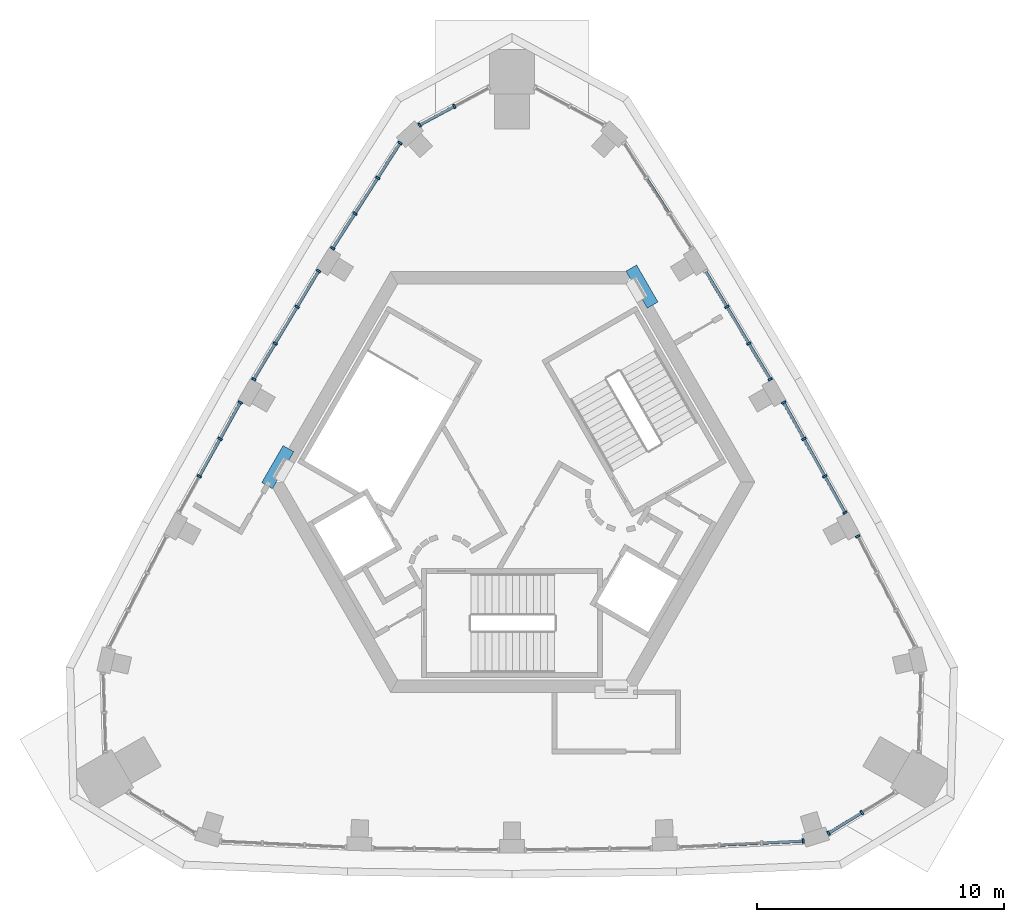
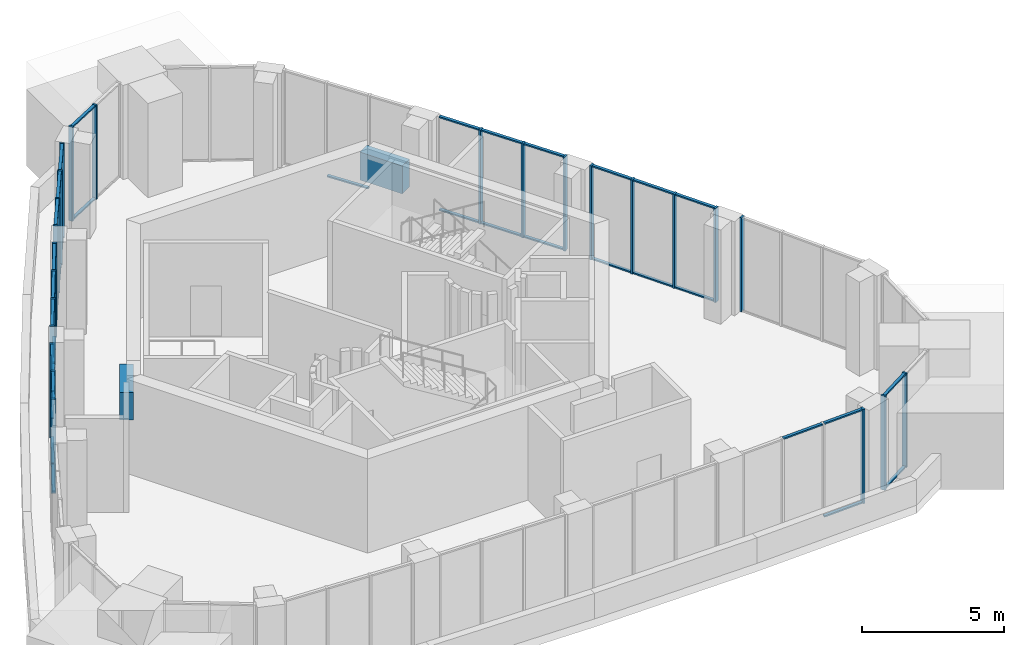
# One storey, part 3 of 9: 60 members, 2 beams, 10 elements without a shape of their own.
"""IFC4 building model written with IfcOpenShell, lengths in metres."""

import ifcopenshell
import ifcopenshell.guid

model = None  # the IFC model being written
_history = None  # IfcOwnerHistory: only IFC2X3 demands one
_inside = {}  # id of a spatial element -> (the spatial element, [elements in it])
_under = {}  # id of a project, library or spatial element -> (it, [spatial elements below it])
_declared = {}  # id of a project -> (the project, [libraries it declares])
_typed = {}  # id of a type object -> (the type object, [elements of that type])
_made_of = {}  # id of a material, layer set ... -> (it, [elements and type objects made of it])


def new_model(schema):
    """Start an empty IFC model of exactly this schema.

    Asked for "IFC4X3", IfcOpenShell would pick the latest addendum, in which some entities
    have other attributes; the version numbers below select the first issue.
    IFC2X3 requires an IfcOwnerHistory on every rooted entity: one is made here for all.
    """
    global model, _history
    if schema == "IFC4X3":
        model = ifcopenshell.file(schema_version=(4, 3, 0, 0))
    else:
        model = ifcopenshell.file(schema=schema)
    _inside.clear()
    _under.clear()
    _declared.clear()
    _typed.clear()
    _made_of.clear()
    _history = None
    if model.schema == "IFC2X3":
        org = make("IfcOrganization", Name="unknown")
        user = make(
            "IfcPersonAndOrganization",
            ThePerson=make("IfcPerson", FamilyName="unknown"),
            TheOrganization=org,
        )
        app = make(
            "IfcApplication",
            ApplicationDeveloper=org,
            Version="unknown",
            ApplicationFullName="unknown",
            ApplicationIdentifier="unknown",
        )
        _history = make(
            "IfcOwnerHistory",
            OwningUser=user,
            OwningApplication=app,
            ChangeAction="ADDED",
            CreationDate=0,
        )
    return model


def make(cls, **values):
    """One entity of the class cls with the attributes given. An attribute that is None is left unset."""
    return model.create_entity(
        cls, **{name: value for name, value in values.items() if value is not None}
    )


def rooted(cls, **values):
    """An entity with a GlobalId (a new one), such as an element, a storey or a relation."""
    return make(cls, GlobalId=ifcopenshell.guid.new(), OwnerHistory=_history, **values)


def si_unit(unit_type, name, prefix=None):
    """IfcSIUnit, for example si_unit("LENGTHUNIT", "METRE", prefix="MILLI")."""
    return make("IfcSIUnit", UnitType=unit_type, Prefix=prefix, Name=name)


def assignment(units):
    """IfcUnitAssignment: the units of a project."""
    return None if units is None else make("IfcUnitAssignment", Units=units)


def point(xyz):
    """IfcCartesianPoint."""
    return None if xyz is None else make("IfcCartesianPoint", Coordinates=xyz)


def direction(xyz):
    """IfcDirection."""
    return None if xyz is None else make("IfcDirection", DirectionRatios=xyz)


def frame(location, z_axis=None, x_axis=None):
    """IfcAxis2Placement3D, a coordinate frame: its origin and axes. An axis left out is left unset."""
    return make(
        "IfcAxis2Placement3D",
        Location=point(location),
        Axis=direction(z_axis),
        RefDirection=direction(x_axis),
    )


def frame_2d(location, x_axis=None):
    """IfcAxis2Placement2D, a coordinate frame in the plane: its origin and x axis."""
    return make(
        "IfcAxis2Placement2D", Location=point(location), RefDirection=direction(x_axis)
    )


def origin():
    """The frame at (0, 0, 0) with its axes left unset."""
    return frame((0.0, 0.0, 0.0))


def origin_2d():
    """The frame at (0, 0) in the plane with its x axis left unset."""
    return frame_2d((0.0, 0.0))


def place(relative_to, where):
    """IfcLocalPlacement: puts the frame where relative to a parent placement (None: the world)."""
    return make(
        "IfcLocalPlacement", PlacementRelTo=relative_to, RelativePlacement=where
    )


def context(
    kind, dimensions, precision=None, world=None, true_north=None, identifier=None
):
    """IfcGeometricRepresentationContext, for example the 3D "Model" context."""
    return make(
        "IfcGeometricRepresentationContext",
        ContextIdentifier=identifier,
        ContextType=kind,
        CoordinateSpaceDimension=dimensions,
        Precision=precision,
        WorldCoordinateSystem=world,
        TrueNorth=true_north,
    )


def subcontext(parent, identifier, kind, view, scale=None):
    """IfcGeometricRepresentationSubContext, for example "Body" below "Model"."""
    return make(
        "IfcGeometricRepresentationSubContext",
        ContextIdentifier=identifier,
        ContextType=kind,
        ParentContext=parent,
        TargetScale=scale,
        TargetView=view,
    )


def project(units=None, contexts=None):
    """IfcProject with its units and contexts."""
    return rooted(
        "IfcProject",
        Name="project",
        RepresentationContexts=contexts,
        UnitsInContext=assignment(units),
    )


def spatial(cls, under=None, at=None, **own):
    """A site, building, storey or space (cls), placed at a placement, below another one or the project."""
    s = rooted(cls, ObjectPlacement=at, **own)
    if under is not None:
        _under.setdefault(under.id(), (under, []))[1].append(s)
    return s


def profile(cls, at=None, kind="AREA", **sizes):
    """A parametric profile (cls). Its sizes go by their IFC names, for example OverallWidth=200.0."""
    return make(cls, ProfileType=kind, Position=at, **sizes)


def rectangle(**sizes):
    """IfcRectangleProfileDef."""
    return profile("IfcRectangleProfileDef", **sizes)


def extrude(swept, where, along, depth):
    """IfcExtrudedAreaSolid: the profile swept, set in the frame where, extruded along a direction by depth."""
    return make(
        "IfcExtrudedAreaSolid",
        SweptArea=swept,
        Position=where,
        ExtrudedDirection=direction(along),
        Depth=depth,
    )


def shape(context_of_items, identifier, shape_type, items):
    """IfcShapeRepresentation: the items that make up one representation, for example the "Body"."""
    return make(
        "IfcShapeRepresentation",
        ContextOfItems=context_of_items,
        RepresentationIdentifier=identifier,
        RepresentationType=shape_type,
        Items=items,
    )


def material(Name=None, Category=None):
    """IfcMaterial."""
    return make("IfcMaterial", Name=Name, Category=Category)


def material_profile(
    of_material, cross_section, Name=None, Category=None, Priority=None
):
    """IfcMaterialProfile: a cross section and its material."""
    return make(
        "IfcMaterialProfile",
        Name=Name,
        Material=of_material,
        Profile=cross_section,
        Priority=Priority,
        Category=Category,
    )


def profile_set(profiles, Name=None, composite=None):
    """IfcMaterialProfileSet."""
    return make(
        "IfcMaterialProfileSet",
        Name=Name,
        MaterialProfiles=profiles,
        CompositeProfile=composite,
    )


def made_of(thing, what):
    """Note that an element or type object is made of a material, layer set ...; save() writes the relation."""
    if what is not None:
        _made_of.setdefault(what.id(), (what, []))[1].append(thing)
    return thing


def type_object(cls, material=None, **own):
    """A type object (cls), such as IfcWallType, which elements share."""
    return made_of(rooted(cls, **own), material)


def element(
    cls,
    number,
    at=None,
    inside=None,
    cuts=None,
    type_object=None,
    material=None,
    context=None,
    identifier="Body",
    shape_type=None,
    held_by="IfcProductDefinitionShape",
    body=None,
    shapes=None,
    **own,
):
    """One element of the class cls, such as IfcWall. Its Tag is "e" and its number.

    at: its placement. inside: the storey or other place that contains it. cuts: it is an
    opening in that element (IfcRelVoidsElement). A single representation is given by context,
    identifier, shape_type and body (its items); several are given by shapes. held_by: the class
    of the entity that holds the representations. save() writes the other relations.
    """
    e = rooted(cls, Tag="e%d" % number, ObjectPlacement=at, **own)
    if body is not None:
        shapes = [shape(context, identifier, shape_type, body)]
    if shapes is not None:
        e.Representation = make(held_by, Representations=shapes)
    if inside is not None:
        _inside.setdefault(inside.id(), (inside, []))[1].append(e)
    if cuts is not None:
        rooted(
            "IfcRelVoidsElement", RelatingBuildingElement=cuts, RelatedOpeningElement=e
        )
    if type_object is not None:
        _typed.setdefault(type_object.id(), (type_object, []))[1].append(e)
    return made_of(e, material)


def aggregate(whole, parts):
    """IfcRelAggregates: a whole, such as a stair, and the parts it consists of."""
    return rooted("IfcRelAggregates", RelatingObject=whole, RelatedObjects=parts)


def save(model, path):
    """Write the relations noted so far, then the file.

    IfcRelAggregates (storeys below a building ...), IfcRelContainedInSpatialStructure (elements
    in a storey), IfcRelDefinesByType, IfcRelAssociatesMaterial and IfcRelDeclares: one each for
    every whole, place, type object, material and project.
    """
    for whole, parts in _under.values():
        aggregate(whole, parts)
    for where, things in _inside.values():
        rooted(
            "IfcRelContainedInSpatialStructure",
            RelatedElements=things,
            RelatingStructure=where,
        )
    for kind, things in _typed.values():
        rooted("IfcRelDefinesByType", RelatedObjects=things, RelatingType=kind)
    for what, things in _made_of.values():
        rooted("IfcRelAssociatesMaterial", RelatedObjects=things, RelatingMaterial=what)
    for by, libraries in _declared.values():
        rooted("IfcRelDeclares", RelatingContext=by, RelatedDefinitions=libraries)
    model.write(path)


model = new_model("IFC4")

# Units and contexts
model_context = context("Model", 3, precision=1e-05, world=origin(), true_north=direction((0.0, 1.0)))
body_context = subcontext(model_context, "Body", "Model", "MODEL_VIEW")
ifc_project = project(units=[si_unit("LENGTHUNIT", "METRE"), si_unit("AREAUNIT", "SQUARE_METRE"), si_unit("VOLUMEUNIT", "CUBIC_METRE"), si_unit("PLANEANGLEUNIT", "RADIAN"), si_unit("MASSUNIT", "GRAM", prefix="KILO")], contexts=[model_context])

# Site, building, storey
site_placement = place(None, origin())
site = spatial("IfcSite", under=ifc_project, at=site_placement, CompositionType="ELEMENT")
building_placement = place(site_placement, origin())
building = spatial("IfcBuilding", under=site, at=building_placement, Name="Entoto Arch Interchange Tower", CompositionType="ELEMENT")
storey_placement = place(building_placement, frame((0.0, 0.0, 358.39990234375)))
storey = spatial("IfcBuildingStorey", under=building, at=storey_placement, Name="L84", CompositionType="ELEMENT", Elevation=358.39990234375)

# Beams
ifc_material_1 = material(Name="Concrete C40/50", Category="concrete")
ifc_material_profile_1 = material_profile(ifc_material_1, rectangle(XDim=0.5, YDim=1.199951171875, at=origin_2d()))
ifc_profile_set_1 = profile_set([ifc_material_profile_1], Name="Concrete C40/50")
beam_type = type_object("IfcBeamType", Name="Coupling beam RC 500x1200 C40/50", PredefinedType="BEAM", material=ifc_profile_set_1)
for number, where, z_axis, x_axis, name in (
    (1, (5.68603515625, 9.65087890625, 3.0), (-0.500105721196, 0.865964357019, 0.0), (-0.865964357019, -0.500105721196, 0.0), "Coupling beam NE L84"),
    (2, (-9.035888671875, 3.84912109375, 3.0), (-0.500105721196, -0.865964357019, 0.0), (0.865964357019, -0.500105721196, 0.0), "Coupling beam NW L84"),
):
    element("IfcBeam", number, at=place(storey_placement, frame(where, z_axis=z_axis, x_axis=x_axis)), inside=storey, type_object=beam_type, Name=name, PredefinedType="BEAM", context=body_context, shape_type="SweptSolid", body=[
        extrude(rectangle(XDim=0.5, YDim=1.199951171875, at=origin_2d()), origin(), (0.0, 0.0, 1.0), 1.727783203125),
    ])

# Curtain wall, member
ifc_material_2 = material(Name="Aluminium, anodised", Category="aluminium")
curtain_wall_type = type_object("IfcCurtainWallType", Name="CURTAIN WALL CROWN LANTERN", PredefinedType="NOTDEFINED", material=ifc_material_2)
curtain_wall_1_placement = place(storey_placement, origin())
curtain_wall_1 = element("IfcCurtainWall", 3, at=curtain_wall_1_placement, inside=storey, type_object=curtain_wall_type, Name="Crown Lantern glazing S-04 L84", PredefinedType="NOTDEFINED")
ifc_material_profile_2 = material_profile(ifc_material_2, rectangle(XDim=0.179931640625, YDim=0.080078125, at=origin_2d()))
ifc_profile_set_2 = profile_set([ifc_material_profile_2], Name="Aluminium, anodised")
member_type_1 = type_object("IfcMemberType", Name="MULLION CROWN LANTERN 80x180", PredefinedType="MULLION", material=ifc_profile_set_2)
member_1_placement = place(storey_placement, frame((11.76708984375, -12.018798828125, 0.0), z_axis=(0.0, 0.0, 1.0), x_axis=(-0.046520118358, 0.998917353232, 0.0)))
member_1 = element("IfcMember", 4, at=member_1_placement, type_object=member_type_1, Name="CWL mullion 4", PredefinedType="MULLION", context=body_context, shape_type="SweptSolid", body=[
    extrude(rectangle(XDim=0.179931640625, YDim=0.080078125, at=origin_2d()), origin(), (0.0, 0.0, 1.0), 4.050048828125),
])

# Curtain wall, members
curtain_wall_2_placement = place(storey_placement, origin())
curtain_wall_2 = element("IfcCurtainWall", 5, at=curtain_wall_2_placement, inside=storey, type_object=curtain_wall_type, Name="Crown Lantern glazing SE-01 L84", PredefinedType="NOTDEFINED")
member_2_placement = place(storey_placement, frame((12.7939453125, -11.699951171875, 0.0), z_axis=(0.0, 0.0, 1.0), x_axis=(-0.526629282002, 0.850095053119, 0.0)))
member_2 = element("IfcMember", 6, at=member_2_placement, type_object=member_type_1, Name="CWL mullion 1", PredefinedType="MULLION", context=body_context, shape_type="SweptSolid", body=[
    extrude(rectangle(XDim=0.179931640625, YDim=0.080078125, at=origin_2d()), origin(), (0.0, 0.0, 1.0), 4.050048828125),
])
member_3_placement = place(storey_placement, frame((14.14501953125, -10.863037109375, 0.0), z_axis=(0.0, 0.0, 1.0), x_axis=(-0.526629282002, 0.850095053119, 0.0)))
member_3 = element("IfcMember", 7, at=member_3_placement, type_object=member_type_1, Name="CWL mullion 2", PredefinedType="MULLION", context=body_context, shape_type="SweptSolid", body=[
    extrude(rectangle(XDim=0.179931640625, YDim=0.080078125, at=origin_2d()), origin(), (0.0, 0.0, 1.0), 4.050048828125),
])

# Curtain wall, member
curtain_wall_3_placement = place(storey_placement, origin())
curtain_wall_3 = element("IfcCurtainWall", 8, at=curtain_wall_3_placement, inside=storey, type_object=curtain_wall_type, Name="Crown Lantern glazing NE-01 L84", PredefinedType="NOTDEFINED")
member_4_placement = place(storey_placement, frame((13.971435546875, 0.3095703125, 0.0), z_axis=(0.0, 0.0, 1.0), x_axis=(-0.888469575293, -0.458935522463, 0.0)))
member_4 = element("IfcMember", 9, at=member_4_placement, type_object=member_type_1, Name="CWL mullion 4", PredefinedType="MULLION", context=body_context, shape_type="SweptSolid", body=[
    extrude(rectangle(XDim=0.179931640625, YDim=0.080078125, at=origin_2d()), origin(), (0.0, 0.0, 1.0), 4.050048828125),
])
aggregate(curtain_wall_3, [member_4])

# Curtain wall, members
curtain_wall_4_placement = place(storey_placement, origin())
curtain_wall_4 = element("IfcCurtainWall", 10, at=curtain_wall_4_placement, inside=storey, type_object=curtain_wall_type, Name="Crown Lantern glazing NE-02 L84", PredefinedType="NOTDEFINED")
member_5_placement = place(storey_placement, frame((13.46142578125, 1.259033203125, 0.0), z_axis=(0.0, 0.0, 1.0), x_axis=(-0.873665250263, -0.486527522841, 0.0)))
member_5 = element("IfcMember", 11, at=member_5_placement, type_object=member_type_1, Name="CWL mullion 1", PredefinedType="MULLION", context=body_context, shape_type="SweptSolid", body=[
    extrude(rectangle(XDim=0.179931640625, YDim=0.080078125, at=origin_2d()), origin(), (0.0, 0.0, 1.0), 4.050048828125),
])
member_6_placement = place(storey_placement, frame((12.640625, 2.73291015625, 0.0), z_axis=(0.0, 0.0, 1.0), x_axis=(-0.873665250263, -0.486527522841, 0.0)))
member_6 = element("IfcMember", 12, at=member_6_placement, type_object=member_type_1, Name="CWL mullion 2", PredefinedType="MULLION", context=body_context, shape_type="SweptSolid", body=[
    extrude(rectangle(XDim=0.179931640625, YDim=0.080078125, at=origin_2d()), origin(), (0.0, 0.0, 1.0), 4.050048828125),
])
member_7_placement = place(storey_placement, frame((11.80029296875, 4.241943359375, 0.0), z_axis=(0.0, 0.0, 1.0), x_axis=(-0.873665250263, -0.486527522841, 0.0)))
member_7 = element("IfcMember", 13, at=member_7_placement, type_object=member_type_1, Name="CWL mullion 3", PredefinedType="MULLION", context=body_context, shape_type="SweptSolid", body=[
    extrude(rectangle(XDim=0.179931640625, YDim=0.080078125, at=origin_2d()), origin(), (0.0, 0.0, 1.0), 4.050048828125),
])
member_8_placement = place(storey_placement, frame((10.9794921875, 5.716064453125, 0.0), z_axis=(0.0, 0.0, 1.0), x_axis=(-0.873665250263, -0.486527522841, 0.0)))
member_8 = element("IfcMember", 14, at=member_8_placement, type_object=member_type_1, Name="CWL mullion 4", PredefinedType="MULLION", context=body_context, shape_type="SweptSolid", body=[
    extrude(rectangle(XDim=0.179931640625, YDim=0.080078125, at=origin_2d()), origin(), (0.0, 0.0, 1.0), 4.050048828125),
])

curtain_wall_5_placement = place(storey_placement, origin())
curtain_wall_5 = element("IfcCurtainWall", 15, at=curtain_wall_5_placement, inside=storey, type_object=curtain_wall_type, Name="Crown Lantern glazing NE-03 L84", PredefinedType="NOTDEFINED")
member_9_placement = place(storey_placement, frame((10.4404296875, 6.650390625, 0.0), z_axis=(0.0, 0.0, 1.0), x_axis=(-0.858105257627, -0.513473822929, 0.0)))
member_9 = element("IfcMember", 16, at=member_9_placement, type_object=member_type_1, Name="CWL mullion 1", PredefinedType="MULLION", context=body_context, shape_type="SweptSolid", body=[
    extrude(rectangle(XDim=0.179931640625, YDim=0.080078125, at=origin_2d()), origin(), (0.0, 0.0, 1.0), 4.050048828125),
])
member_10_placement = place(storey_placement, frame((9.573974609375, 8.098388671875, 0.0), z_axis=(0.0, 0.0, 1.0), x_axis=(-0.858105257627, -0.513473822929, 0.0)))
member_10 = element("IfcMember", 17, at=member_10_placement, type_object=member_type_1, Name="CWL mullion 2", PredefinedType="MULLION", context=body_context, shape_type="SweptSolid", body=[
    extrude(rectangle(XDim=0.179931640625, YDim=0.080078125, at=origin_2d()), origin(), (0.0, 0.0, 1.0), 4.050048828125),
])
member_11_placement = place(storey_placement, frame((8.68701171875, 9.58056640625, 0.0), z_axis=(0.0, 0.0, 1.0), x_axis=(-0.858105257627, -0.513473822929, 0.0)))
member_11 = element("IfcMember", 18, at=member_11_placement, type_object=member_type_1, Name="CWL mullion 3", PredefinedType="MULLION", context=body_context, shape_type="SweptSolid", body=[
    extrude(rectangle(XDim=0.179931640625, YDim=0.080078125, at=origin_2d()), origin(), (0.0, 0.0, 1.0), 4.050048828125),
])

curtain_wall_6_placement = place(storey_placement, origin())
curtain_wall_6 = element("IfcCurtainWall", 19, at=curtain_wall_6_placement, inside=storey, type_object=curtain_wall_type, Name="Crown Lantern glazing N-02 L84", PredefinedType="NOTDEFINED")
member_12_placement = place(storey_placement, frame((-2.33447265625, 17.681396484375, 0.0), z_axis=(0.0, 0.0, 1.0), x_axis=(0.472928127279, -0.881101008074, 0.0)))
member_12 = element("IfcMember", 20, at=member_12_placement, type_object=member_type_1, Name="CWL mullion 2", PredefinedType="MULLION", context=body_context, shape_type="SweptSolid", body=[
    extrude(rectangle(XDim=0.179931640625, YDim=0.080078125, at=origin_2d()), origin(), (0.0, 0.0, 1.0), 4.050048828125),
])
member_13_placement = place(storey_placement, frame((-3.73486328125, 16.929931640625, 0.0), z_axis=(0.0, 0.0, 1.0), x_axis=(0.472928127279, -0.881101008074, 0.0)))
member_13 = element("IfcMember", 21, at=member_13_placement, type_object=member_type_1, Name="CWL mullion 3", PredefinedType="MULLION", context=body_context, shape_type="SweptSolid", body=[
    extrude(rectangle(XDim=0.179931640625, YDim=0.080078125, at=origin_2d()), origin(), (0.0, 0.0, 1.0), 4.050048828125),
])

curtain_wall_7_placement = place(storey_placement, origin())
curtain_wall_7 = element("IfcCurtainWall", 22, at=curtain_wall_7_placement, inside=storey, type_object=curtain_wall_type, Name="Crown Lantern glazing NW-01 L84", PredefinedType="NOTDEFINED")
member_14_placement = place(storey_placement, frame((-4.524658203125, 16.19921875, 0.0), z_axis=(0.0, 0.0, 1.0), x_axis=(0.841836023439, -0.539733369026, 0.0)))
member_14 = element("IfcMember", 23, at=member_14_placement, type_object=member_type_1, Name="CWL mullion 1", PredefinedType="MULLION", context=body_context, shape_type="SweptSolid", body=[
    extrude(rectangle(XDim=0.179931640625, YDim=0.080078125, at=origin_2d()), origin(), (0.0, 0.0, 1.0), 4.050048828125),
])
member_15_placement = place(storey_placement, frame((-5.4267578125, 14.792236328125, 0.0), z_axis=(0.0, 0.0, 1.0), x_axis=(0.841836023439, -0.539733369026, 0.0)))
member_15 = element("IfcMember", 24, at=member_15_placement, type_object=member_type_1, Name="CWL mullion 2", PredefinedType="MULLION", context=body_context, shape_type="SweptSolid", body=[
    extrude(rectangle(XDim=0.179931640625, YDim=0.080078125, at=origin_2d()), origin(), (0.0, 0.0, 1.0), 4.050048828125),
])
member_16_placement = place(storey_placement, frame((-6.350341796875, 13.3515625, 0.0), z_axis=(0.0, 0.0, 1.0), x_axis=(0.841836023439, -0.539733369026, 0.0)))
member_16 = element("IfcMember", 25, at=member_16_placement, type_object=member_type_1, Name="CWL mullion 3", PredefinedType="MULLION", context=body_context, shape_type="SweptSolid", body=[
    extrude(rectangle(XDim=0.179931640625, YDim=0.080078125, at=origin_2d()), origin(), (0.0, 0.0, 1.0), 4.050048828125),
])
member_17_placement = place(storey_placement, frame((-7.25244140625, 11.944580078125, 0.0), z_axis=(0.0, 0.0, 1.0), x_axis=(0.841836023439, -0.539733369026, 0.0)))
member_17 = element("IfcMember", 26, at=member_17_placement, type_object=member_type_1, Name="CWL mullion 4", PredefinedType="MULLION", context=body_context, shape_type="SweptSolid", body=[
    extrude(rectangle(XDim=0.179931640625, YDim=0.080078125, at=origin_2d()), origin(), (0.0, 0.0, 1.0), 4.050048828125),
])

curtain_wall_8_placement = place(storey_placement, origin())
curtain_wall_8 = element("IfcCurtainWall", 27, at=curtain_wall_8_placement, inside=storey, type_object=curtain_wall_type, Name="Crown Lantern glazing NW-02 L84", PredefinedType="NOTDEFINED")
member_18_placement = place(storey_placement, frame((-7.820556640625, 11.028564453125, 0.0), z_axis=(0.0, 0.0, 1.0), x_axis=(0.858105257627, -0.513473822929, 0.0)))
member_18 = element("IfcMember", 28, at=member_18_placement, type_object=member_type_1, Name="CWL mullion 1", PredefinedType="MULLION", context=body_context, shape_type="SweptSolid", body=[
    extrude(rectangle(XDim=0.179931640625, YDim=0.080078125, at=origin_2d()), origin(), (0.0, 0.0, 1.0), 4.050048828125),
])
member_19_placement = place(storey_placement, frame((-8.68701171875, 9.58056640625, 0.0), z_axis=(0.0, 0.0, 1.0), x_axis=(0.858105257627, -0.513473822929, 0.0)))
member_19 = element("IfcMember", 29, at=member_19_placement, type_object=member_type_1, Name="CWL mullion 2", PredefinedType="MULLION", context=body_context, shape_type="SweptSolid", body=[
    extrude(rectangle(XDim=0.179931640625, YDim=0.080078125, at=origin_2d()), origin(), (0.0, 0.0, 1.0), 4.050048828125),
])
member_20_placement = place(storey_placement, frame((-9.573974609375, 8.098388671875, 0.0), z_axis=(0.0, 0.0, 1.0), x_axis=(0.858105257627, -0.513473822929, 0.0)))
member_20 = element("IfcMember", 30, at=member_20_placement, type_object=member_type_1, Name="CWL mullion 3", PredefinedType="MULLION", context=body_context, shape_type="SweptSolid", body=[
    extrude(rectangle(XDim=0.179931640625, YDim=0.080078125, at=origin_2d()), origin(), (0.0, 0.0, 1.0), 4.050048828125),
])
member_21_placement = place(storey_placement, frame((-10.4404296875, 6.650390625, 0.0), z_axis=(0.0, 0.0, 1.0), x_axis=(0.858105257627, -0.513473822929, 0.0)))
member_21 = element("IfcMember", 31, at=member_21_placement, type_object=member_type_1, Name="CWL mullion 4", PredefinedType="MULLION", context=body_context, shape_type="SweptSolid", body=[
    extrude(rectangle(XDim=0.179931640625, YDim=0.080078125, at=origin_2d()), origin(), (0.0, 0.0, 1.0), 4.050048828125),
])

curtain_wall_9_placement = place(storey_placement, origin())
curtain_wall_9 = element("IfcCurtainWall", 32, at=curtain_wall_9_placement, inside=storey, type_object=curtain_wall_type, Name="Crown Lantern glazing NW-03 L84", PredefinedType="NOTDEFINED")
member_22_placement = place(storey_placement, frame((-10.9794921875, 5.716064453125, 0.0), z_axis=(0.0, 0.0, 1.0), x_axis=(0.873665250263, -0.486527522841, 0.0)))
member_22 = element("IfcMember", 33, at=member_22_placement, type_object=member_type_1, Name="CWL mullion 1", PredefinedType="MULLION", context=body_context, shape_type="SweptSolid", body=[
    extrude(rectangle(XDim=0.179931640625, YDim=0.080078125, at=origin_2d()), origin(), (0.0, 0.0, 1.0), 4.050048828125),
])
member_23_placement = place(storey_placement, frame((-11.80029296875, 4.241943359375, 0.0), z_axis=(0.0, 0.0, 1.0), x_axis=(0.873665250263, -0.486527522841, 0.0)))
member_23 = element("IfcMember", 34, at=member_23_placement, type_object=member_type_1, Name="CWL mullion 2", PredefinedType="MULLION", context=body_context, shape_type="SweptSolid", body=[
    extrude(rectangle(XDim=0.179931640625, YDim=0.080078125, at=origin_2d()), origin(), (0.0, 0.0, 1.0), 4.050048828125),
])
member_24_placement = place(storey_placement, frame((-12.640625, 2.73291015625, 0.0), z_axis=(0.0, 0.0, 1.0), x_axis=(0.873665250263, -0.486527522841, 0.0)))
member_24 = element("IfcMember", 35, at=member_24_placement, type_object=member_type_1, Name="CWL mullion 3", PredefinedType="MULLION", context=body_context, shape_type="SweptSolid", body=[
    extrude(rectangle(XDim=0.179931640625, YDim=0.080078125, at=origin_2d()), origin(), (0.0, 0.0, 1.0), 4.050048828125),
])

# Member
ifc_material_profile_3 = material_profile(ifc_material_2, rectangle(XDim=0.1201171875, YDim=0.06005859375, at=origin_2d()))
ifc_profile_set_3 = profile_set([ifc_material_profile_3], Name="Aluminium, anodised")
member_type_2 = type_object("IfcMemberType", Name="TRANSOM CROWN LANTERN 60x120", PredefinedType="USERDEFINED", material=ifc_profile_set_3)
member_25_placement = place(storey_placement, frame((8.425537109375, -12.174560546875, 4.02001953125), z_axis=(0.998917986838, 0.046506511064, 0.0), x_axis=(-0.046506511064, 0.998917986838, 0.0)))
member_25 = element("IfcMember", 36, at=member_25_placement, type_object=member_type_2, Name="CWL transom 2.2", ObjectType="TRANSOM", PredefinedType="USERDEFINED", context=body_context, shape_type="SweptSolid", body=[
    extrude(rectangle(XDim=0.1201171875, YDim=0.06005859375, at=origin_2d()), origin(), (0.0, 0.0, 1.0), 1.632568359375),
])

member_26_placement = place(storey_placement, frame((10.13623046875, -12.0947265625, 0.030029296875), z_axis=(0.998920582414, 0.046450726899, 0.0), x_axis=(-0.046450726899, 0.998920582414, 0.0)))
member_26 = element("IfcMember", 37, at=member_26_placement, type_object=member_type_2, Name="CWL transom 3.1", ObjectType="TRANSOM", PredefinedType="USERDEFINED", context=body_context, shape_type="SweptSolid", body=[
    extrude(rectangle(XDim=0.1201171875, YDim=0.06005859375, at=origin_2d()), origin(), (0.0, 0.0, 1.0), 1.592529296875),
])

member_27_placement = place(storey_placement, frame((10.13623046875, -12.0947265625, 4.02001953125), z_axis=(0.998920582414, 0.046450726899, 0.0), x_axis=(-0.046450726899, 0.998920582414, 0.0)))
member_27 = element("IfcMember", 38, at=member_27_placement, type_object=member_type_2, Name="CWL transom 3.2", ObjectType="TRANSOM", PredefinedType="USERDEFINED", context=body_context, shape_type="SweptSolid", body=[
    extrude(rectangle(XDim=0.1201171875, YDim=0.06005859375, at=origin_2d()), origin(), (0.0, 0.0, 1.0), 1.592529296875),
])

aggregate(curtain_wall_1, [member_1, member_25, member_26, member_27])

member_28_placement = place(storey_placement, frame((12.828125, -11.678955078125, 0.030029296875), z_axis=(0.850054789348, 0.526694271002, 0.0), x_axis=(-0.526694271002, 0.850054789348, 0.0)))
member_28 = element("IfcMember", 39, at=member_28_placement, type_object=member_type_2, Name="CWL transom 1.1", ObjectType="TRANSOM", PredefinedType="USERDEFINED", context=body_context, shape_type="SweptSolid", body=[
    extrude(rectangle(XDim=0.1201171875, YDim=0.06005859375, at=origin_2d()), origin(), (0.0, 0.0, 1.0), 1.50927734375),
])

member_29_placement = place(storey_placement, frame((12.828125, -11.678955078125, 4.02001953125), z_axis=(0.850054789348, 0.526694271002, 0.0), x_axis=(-0.526694271002, 0.850054789348, 0.0)))
member_29 = element("IfcMember", 40, at=member_29_placement, type_object=member_type_2, Name="CWL transom 1.2", ObjectType="TRANSOM", PredefinedType="USERDEFINED", context=body_context, shape_type="SweptSolid", body=[
    extrude(rectangle(XDim=0.1201171875, YDim=0.06005859375, at=origin_2d()), origin(), (0.0, 0.0, 1.0), 1.50927734375),
])

aggregate(curtain_wall_2, [member_2, member_3, member_28, member_29])

member_30_placement = place(storey_placement, frame((13.442138671875, 1.2939453125, 0.030029296875), z_axis=(-0.486571321344, 0.873640858274, 0.0), x_axis=(-0.873640858274, -0.486571321344, 0.0)))
member_30 = element("IfcMember", 41, at=member_30_placement, type_object=member_type_2, Name="CWL transom 1.1", ObjectType="TRANSOM", PredefinedType="USERDEFINED", context=body_context, shape_type="SweptSolid", body=[
    extrude(rectangle(XDim=0.1201171875, YDim=0.06005859375, at=origin_2d()), origin(), (0.0, 0.0, 1.0), 1.607177734375),
])

member_31_placement = place(storey_placement, frame((13.442138671875, 1.2939453125, 4.02001953125), z_axis=(-0.486571321344, 0.873640858274, 0.0), x_axis=(-0.873640858274, -0.486571321344, 0.0)))
member_31 = element("IfcMember", 42, at=member_31_placement, type_object=member_type_2, Name="CWL transom 1.2", ObjectType="TRANSOM", PredefinedType="USERDEFINED", context=body_context, shape_type="SweptSolid", body=[
    extrude(rectangle(XDim=0.1201171875, YDim=0.06005859375, at=origin_2d()), origin(), (0.0, 0.0, 1.0), 1.607177734375),
])

member_32_placement = place(storey_placement, frame((12.62109375, 2.76806640625, 0.030029296875), z_axis=(-0.486498530415, 0.873681394963, 0.0), x_axis=(-0.873681394963, -0.486498530415, 0.0)))
member_32 = element("IfcMember", 43, at=member_32_placement, type_object=member_type_2, Name="CWL transom 2.1", ObjectType="TRANSOM", PredefinedType="USERDEFINED", context=body_context, shape_type="SweptSolid", body=[
    extrude(rectangle(XDim=0.1201171875, YDim=0.06005859375, at=origin_2d()), origin(), (0.0, 0.0, 1.0), 1.64697265625),
])

member_33_placement = place(storey_placement, frame((12.62109375, 2.76806640625, 4.02001953125), z_axis=(-0.486498530415, 0.873681394963, 0.0), x_axis=(-0.873681394963, -0.486498530415, 0.0)))
member_33 = element("IfcMember", 44, at=member_33_placement, type_object=member_type_2, Name="CWL transom 2.2", ObjectType="TRANSOM", PredefinedType="USERDEFINED", context=body_context, shape_type="SweptSolid", body=[
    extrude(rectangle(XDim=0.1201171875, YDim=0.06005859375, at=origin_2d()), origin(), (0.0, 0.0, 1.0), 1.64697265625),
])

member_34_placement = place(storey_placement, frame((11.78076171875, 4.27685546875, 0.030029296875), z_axis=(-0.48639079998, 0.873741374604, 0.0), x_axis=(-0.873741374604, -0.48639079998, 0.0)))
member_34 = element("IfcMember", 45, at=member_34_placement, type_object=member_type_2, Name="CWL transom 3.1", ObjectType="TRANSOM", PredefinedType="USERDEFINED", context=body_context, shape_type="SweptSolid", body=[
    extrude(rectangle(XDim=0.1201171875, YDim=0.06005859375, at=origin_2d()), origin(), (0.0, 0.0, 1.0), 1.607177734375),
])

member_35_placement = place(storey_placement, frame((11.78076171875, 4.27685546875, 4.02001953125), z_axis=(-0.48639079998, 0.873741374604, 0.0), x_axis=(-0.873741374604, -0.48639079998, 0.0)))
member_35 = element("IfcMember", 46, at=member_35_placement, type_object=member_type_2, Name="CWL transom 3.2", ObjectType="TRANSOM", PredefinedType="USERDEFINED", context=body_context, shape_type="SweptSolid", body=[
    extrude(rectangle(XDim=0.1201171875, YDim=0.06005859375, at=origin_2d()), origin(), (0.0, 0.0, 1.0), 1.607177734375),
])

aggregate(curtain_wall_4, [member_5, member_6, member_7, member_8, member_30, member_31, member_32, member_33, member_34, member_35])

member_36_placement = place(storey_placement, frame((10.419921875, 6.6845703125, 0.030029296875), z_axis=(-0.513490344977, 0.858095370932, 0.0), x_axis=(-0.858095370932, -0.513490344977, 0.0)))
member_36 = element("IfcMember", 47, at=member_36_placement, type_object=member_type_2, Name="CWL transom 1.1", ObjectType="TRANSOM", PredefinedType="USERDEFINED", context=body_context, shape_type="SweptSolid", body=[
    extrude(rectangle(XDim=0.1201171875, YDim=0.06005859375, at=origin_2d()), origin(), (0.0, 0.0, 1.0), 1.607421875),
])

member_37_placement = place(storey_placement, frame((10.419921875, 6.6845703125, 4.02001953125), z_axis=(-0.513490344977, 0.858095370932, 0.0), x_axis=(-0.858095370932, -0.513490344977, 0.0)))
member_37 = element("IfcMember", 48, at=member_37_placement, type_object=member_type_2, Name="CWL transom 1.2", ObjectType="TRANSOM", PredefinedType="USERDEFINED", context=body_context, shape_type="SweptSolid", body=[
    extrude(rectangle(XDim=0.1201171875, YDim=0.06005859375, at=origin_2d()), origin(), (0.0, 0.0, 1.0), 1.607421875),
])

member_38_placement = place(storey_placement, frame((9.553466796875, 8.132568359375, 0.030029296875), z_axis=(-0.513449384601, 0.858119880584, 0.0), x_axis=(-0.858119880584, -0.513449384601, 0.0)))
member_38 = element("IfcMember", 49, at=member_38_placement, type_object=member_type_2, Name="CWL transom 2.1", ObjectType="TRANSOM", PredefinedType="USERDEFINED", context=body_context, shape_type="SweptSolid", body=[
    extrude(rectangle(XDim=0.1201171875, YDim=0.06005859375, at=origin_2d()), origin(), (0.0, 0.0, 1.0), 1.6474609375),
])

member_39_placement = place(storey_placement, frame((9.553466796875, 8.132568359375, 4.02001953125), z_axis=(-0.513449384601, 0.858119880584, 0.0), x_axis=(-0.858119880584, -0.513449384601, 0.0)))
member_39 = element("IfcMember", 50, at=member_39_placement, type_object=member_type_2, Name="CWL transom 2.2", ObjectType="TRANSOM", PredefinedType="USERDEFINED", context=body_context, shape_type="SweptSolid", body=[
    extrude(rectangle(XDim=0.1201171875, YDim=0.06005859375, at=origin_2d()), origin(), (0.0, 0.0, 1.0), 1.6474609375),
])

member_40_placement = place(storey_placement, frame((8.66650390625, 9.614990234375, 0.030029296875), z_axis=(-0.513490344977, 0.858095370932, 0.0), x_axis=(-0.858095370932, -0.513490344977, 0.0)))
member_40 = element("IfcMember", 51, at=member_40_placement, type_object=member_type_2, Name="CWL transom 3.1", ObjectType="TRANSOM", PredefinedType="USERDEFINED", context=body_context, shape_type="SweptSolid", body=[
    extrude(rectangle(XDim=0.1201171875, YDim=0.06005859375, at=origin_2d()), origin(), (0.0, 0.0, 1.0), 1.607421875),
])

member_41_placement = place(storey_placement, frame((8.66650390625, 9.614990234375, 4.02001953125), z_axis=(-0.513490344977, 0.858095370932, 0.0), x_axis=(-0.858095370932, -0.513490344977, 0.0)))
member_41 = element("IfcMember", 52, at=member_41_placement, type_object=member_type_2, Name="CWL transom 3.2", ObjectType="TRANSOM", PredefinedType="USERDEFINED", context=body_context, shape_type="SweptSolid", body=[
    extrude(rectangle(XDim=0.1201171875, YDim=0.06005859375, at=origin_2d()), origin(), (0.0, 0.0, 1.0), 1.607421875),
])

aggregate(curtain_wall_5, [member_9, member_10, member_11, member_36, member_37, member_38, member_39, member_40, member_41])

# Curtain wall, member
curtain_wall_10_placement = place(storey_placement, origin())
curtain_wall_10 = element("IfcCurtainWall", 53, at=curtain_wall_10_placement, inside=storey, type_object=curtain_wall_type, Name="Crown Lantern glazing NE-04 L84", PredefinedType="NOTDEFINED")
member_42_placement = place(storey_placement, frame((6.328857421875, 13.38525390625, 0.030029296875), z_axis=(-0.539796653211, 0.841795446164, 0.0), x_axis=(-0.841795446164, -0.539796653211, 0.0)))
member_42 = element("IfcMember", 54, at=member_42_placement, type_object=member_type_2, Name="CWL transom 2.1", ObjectType="TRANSOM", PredefinedType="USERDEFINED", context=body_context, shape_type="SweptSolid", body=[
    extrude(rectangle(XDim=0.1201171875, YDim=0.06005859375, at=origin_2d()), origin(), (0.0, 0.0, 1.0), 1.63134765625),
])
aggregate(curtain_wall_10, [member_42])

# Member
member_43_placement = place(storey_placement, frame((-2.36962890625, 17.66259765625, 0.030029296875), z_axis=(-0.881078069896, -0.472970860359, 0.0), x_axis=(0.472970860359, -0.881078069896, 0.0)))
member_43 = element("IfcMember", 55, at=member_43_placement, type_object=member_type_2, Name="CWL transom 2.1", ObjectType="TRANSOM", PredefinedType="USERDEFINED", context=body_context, shape_type="SweptSolid", body=[
    extrude(rectangle(XDim=0.1201171875, YDim=0.06005859375, at=origin_2d()), origin(), (0.0, 0.0, 1.0), 1.50927734375),
])

member_44_placement = place(storey_placement, frame((-2.36962890625, 17.66259765625, 4.02001953125), z_axis=(-0.881078069896, -0.472970860359, 0.0), x_axis=(0.472970860359, -0.881078069896, 0.0)))
member_44 = element("IfcMember", 56, at=member_44_placement, type_object=member_type_2, Name="CWL transom 2.2", ObjectType="TRANSOM", PredefinedType="USERDEFINED", context=body_context, shape_type="SweptSolid", body=[
    extrude(rectangle(XDim=0.1201171875, YDim=0.06005859375, at=origin_2d()), origin(), (0.0, 0.0, 1.0), 1.50927734375),
])

aggregate(curtain_wall_6, [member_12, member_13, member_43, member_44])

member_45_placement = place(storey_placement, frame((-4.546142578125, 16.165771484375, 0.030029296875), z_axis=(-0.539671690399, -0.841875564785, 0.0), x_axis=(0.841875564785, -0.539671690399, 0.0)))
member_45 = element("IfcMember", 57, at=member_45_placement, type_object=member_type_2, Name="CWL transom 1.1", ObjectType="TRANSOM", PredefinedType="USERDEFINED", context=body_context, shape_type="SweptSolid", body=[
    extrude(rectangle(XDim=0.1201171875, YDim=0.06005859375, at=origin_2d()), origin(), (0.0, 0.0, 1.0), 1.591552734375),
])

member_46_placement = place(storey_placement, frame((-4.546142578125, 16.165771484375, 4.02001953125), z_axis=(-0.539671690399, -0.841875564785, 0.0), x_axis=(0.841875564785, -0.539671690399, 0.0)))
member_46 = element("IfcMember", 58, at=member_46_placement, type_object=member_type_2, Name="CWL transom 1.2", ObjectType="TRANSOM", PredefinedType="USERDEFINED", context=body_context, shape_type="SweptSolid", body=[
    extrude(rectangle(XDim=0.1201171875, YDim=0.06005859375, at=origin_2d()), origin(), (0.0, 0.0, 1.0), 1.591552734375),
])

member_47_placement = place(storey_placement, frame((-5.4482421875, 14.758544921875, 0.030029296875), z_axis=(-0.539796653211, -0.841795446164, 0.0), x_axis=(0.841795446164, -0.539796653211, 0.0)))
member_47 = element("IfcMember", 59, at=member_47_placement, type_object=member_type_2, Name="CWL transom 2.1", ObjectType="TRANSOM", PredefinedType="USERDEFINED", context=body_context, shape_type="SweptSolid", body=[
    extrude(rectangle(XDim=0.1201171875, YDim=0.06005859375, at=origin_2d()), origin(), (0.0, 0.0, 1.0), 1.63134765625),
])

member_48_placement = place(storey_placement, frame((-5.4482421875, 14.758544921875, 4.02001953125), z_axis=(-0.539796653211, -0.841795446164, 0.0), x_axis=(0.841795446164, -0.539796653211, 0.0)))
member_48 = element("IfcMember", 60, at=member_48_placement, type_object=member_type_2, Name="CWL transom 2.2", ObjectType="TRANSOM", PredefinedType="USERDEFINED", context=body_context, shape_type="SweptSolid", body=[
    extrude(rectangle(XDim=0.1201171875, YDim=0.06005859375, at=origin_2d()), origin(), (0.0, 0.0, 1.0), 1.63134765625),
])

member_49_placement = place(storey_placement, frame((-6.371826171875, 13.318115234375, 0.030029296875), z_axis=(-0.539671690399, -0.841875564785, 0.0), x_axis=(0.841875564785, -0.539671690399, 0.0)))
member_49 = element("IfcMember", 61, at=member_49_placement, type_object=member_type_2, Name="CWL transom 3.1", ObjectType="TRANSOM", PredefinedType="USERDEFINED", context=body_context, shape_type="SweptSolid", body=[
    extrude(rectangle(XDim=0.1201171875, YDim=0.06005859375, at=origin_2d()), origin(), (0.0, 0.0, 1.0), 1.591552734375),
])

member_50_placement = place(storey_placement, frame((-6.371826171875, 13.318115234375, 4.02001953125), z_axis=(-0.539671690399, -0.841875564785, 0.0), x_axis=(0.841875564785, -0.539671690399, 0.0)))
member_50 = element("IfcMember", 62, at=member_50_placement, type_object=member_type_2, Name="CWL transom 3.2", ObjectType="TRANSOM", PredefinedType="USERDEFINED", context=body_context, shape_type="SweptSolid", body=[
    extrude(rectangle(XDim=0.1201171875, YDim=0.06005859375, at=origin_2d()), origin(), (0.0, 0.0, 1.0), 1.591552734375),
])

aggregate(curtain_wall_7, [member_14, member_15, member_16, member_17, member_45, member_46, member_47, member_48, member_49, member_50])

member_51_placement = place(storey_placement, frame((-7.841064453125, 10.994384765625, 0.030029296875), z_axis=(-0.513490344977, -0.858095370932, 0.0), x_axis=(0.858095370932, -0.513490344977, 0.0)))
member_51 = element("IfcMember", 63, at=member_51_placement, type_object=member_type_2, Name="CWL transom 1.1", ObjectType="TRANSOM", PredefinedType="USERDEFINED", context=body_context, shape_type="SweptSolid", body=[
    extrude(rectangle(XDim=0.1201171875, YDim=0.06005859375, at=origin_2d()), origin(), (0.0, 0.0, 1.0), 1.607421875),
])

member_52_placement = place(storey_placement, frame((-7.841064453125, 10.994384765625, 4.02001953125), z_axis=(-0.513490344977, -0.858095370932, 0.0), x_axis=(0.858095370932, -0.513490344977, 0.0)))
member_52 = element("IfcMember", 64, at=member_52_placement, type_object=member_type_2, Name="CWL transom 1.2", ObjectType="TRANSOM", PredefinedType="USERDEFINED", context=body_context, shape_type="SweptSolid", body=[
    extrude(rectangle(XDim=0.1201171875, YDim=0.06005859375, at=origin_2d()), origin(), (0.0, 0.0, 1.0), 1.607421875),
])

member_53_placement = place(storey_placement, frame((-8.70751953125, 9.54638671875, 0.030029296875), z_axis=(-0.513449384601, -0.858119880584, 0.0), x_axis=(0.858119880584, -0.513449384601, 0.0)))
member_53 = element("IfcMember", 65, at=member_53_placement, type_object=member_type_2, Name="CWL transom 2.1", ObjectType="TRANSOM", PredefinedType="USERDEFINED", context=body_context, shape_type="SweptSolid", body=[
    extrude(rectangle(XDim=0.1201171875, YDim=0.06005859375, at=origin_2d()), origin(), (0.0, 0.0, 1.0), 1.6474609375),
])

member_54_placement = place(storey_placement, frame((-8.70751953125, 9.54638671875, 4.02001953125), z_axis=(-0.513449384601, -0.858119880584, 0.0), x_axis=(0.858119880584, -0.513449384601, 0.0)))
member_54 = element("IfcMember", 66, at=member_54_placement, type_object=member_type_2, Name="CWL transom 2.2", ObjectType="TRANSOM", PredefinedType="USERDEFINED", context=body_context, shape_type="SweptSolid", body=[
    extrude(rectangle(XDim=0.1201171875, YDim=0.06005859375, at=origin_2d()), origin(), (0.0, 0.0, 1.0), 1.6474609375),
])

member_55_placement = place(storey_placement, frame((-9.594482421875, 8.06396484375, 0.030029296875), z_axis=(-0.513490344977, -0.858095370932, 0.0), x_axis=(0.858095370932, -0.513490344977, 0.0)))
member_55 = element("IfcMember", 67, at=member_55_placement, type_object=member_type_2, Name="CWL transom 3.1", ObjectType="TRANSOM", PredefinedType="USERDEFINED", context=body_context, shape_type="SweptSolid", body=[
    extrude(rectangle(XDim=0.1201171875, YDim=0.06005859375, at=origin_2d()), origin(), (0.0, 0.0, 1.0), 1.607421875),
])

member_56_placement = place(storey_placement, frame((-9.594482421875, 8.06396484375, 4.02001953125), z_axis=(-0.513490344977, -0.858095370932, 0.0), x_axis=(0.858095370932, -0.513490344977, 0.0)))
member_56 = element("IfcMember", 68, at=member_56_placement, type_object=member_type_2, Name="CWL transom 3.2", ObjectType="TRANSOM", PredefinedType="USERDEFINED", context=body_context, shape_type="SweptSolid", body=[
    extrude(rectangle(XDim=0.1201171875, YDim=0.06005859375, at=origin_2d()), origin(), (0.0, 0.0, 1.0), 1.607421875),
])

aggregate(curtain_wall_8, [member_18, member_19, member_20, member_21, member_51, member_52, member_53, member_54, member_55, member_56])

member_57_placement = place(storey_placement, frame((-10.9990234375, 5.68115234375, 0.030029296875), z_axis=(-0.48639079998, -0.873741374604, 0.0), x_axis=(0.873741374604, -0.48639079998, 0.0)))
member_57 = element("IfcMember", 69, at=member_57_placement, type_object=member_type_2, Name="CWL transom 1.1", ObjectType="TRANSOM", PredefinedType="USERDEFINED", context=body_context, shape_type="SweptSolid", body=[
    extrude(rectangle(XDim=0.1201171875, YDim=0.06005859375, at=origin_2d()), origin(), (0.0, 0.0, 1.0), 1.607177734375),
])

member_58_placement = place(storey_placement, frame((-10.9990234375, 5.68115234375, 4.02001953125), z_axis=(-0.48639079998, -0.873741374604, 0.0), x_axis=(0.873741374604, -0.48639079998, 0.0)))
member_58 = element("IfcMember", 70, at=member_58_placement, type_object=member_type_2, Name="CWL transom 1.2", ObjectType="TRANSOM", PredefinedType="USERDEFINED", context=body_context, shape_type="SweptSolid", body=[
    extrude(rectangle(XDim=0.1201171875, YDim=0.06005859375, at=origin_2d()), origin(), (0.0, 0.0, 1.0), 1.607177734375),
])

member_59_placement = place(storey_placement, frame((-11.81982421875, 4.20703125, 0.030029296875), z_axis=(-0.486498530415, -0.873681394963, 0.0), x_axis=(0.873681394963, -0.486498530415, 0.0)))
member_59 = element("IfcMember", 71, at=member_59_placement, type_object=member_type_2, Name="CWL transom 2.1", ObjectType="TRANSOM", PredefinedType="USERDEFINED", context=body_context, shape_type="SweptSolid", body=[
    extrude(rectangle(XDim=0.1201171875, YDim=0.06005859375, at=origin_2d()), origin(), (0.0, 0.0, 1.0), 1.64697265625),
])

member_60_placement = place(storey_placement, frame((-11.81982421875, 4.20703125, 4.02001953125), z_axis=(-0.486498530415, -0.873681394963, 0.0), x_axis=(0.873681394963, -0.486498530415, 0.0)))
member_60 = element("IfcMember", 72, at=member_60_placement, type_object=member_type_2, Name="CWL transom 2.2", ObjectType="TRANSOM", PredefinedType="USERDEFINED", context=body_context, shape_type="SweptSolid", body=[
    extrude(rectangle(XDim=0.1201171875, YDim=0.06005859375, at=origin_2d()), origin(), (0.0, 0.0, 1.0), 1.64697265625),
])

aggregate(curtain_wall_9, [member_22, member_23, member_24, member_57, member_58, member_59, member_60])

save(model, "model.ifc")
